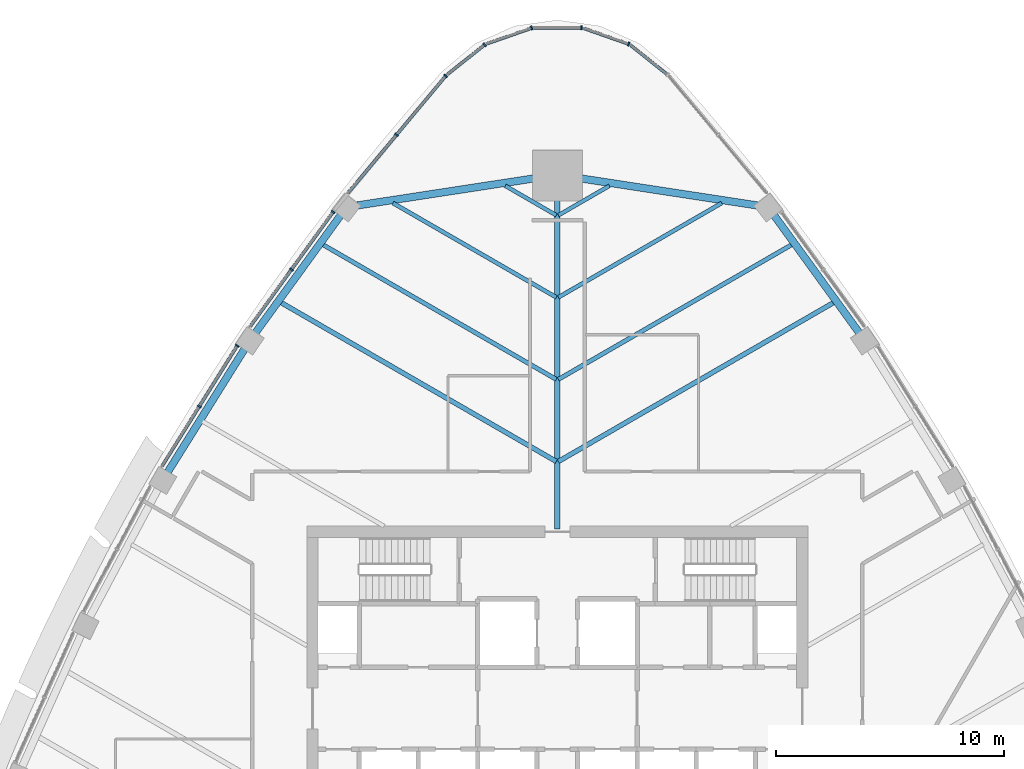
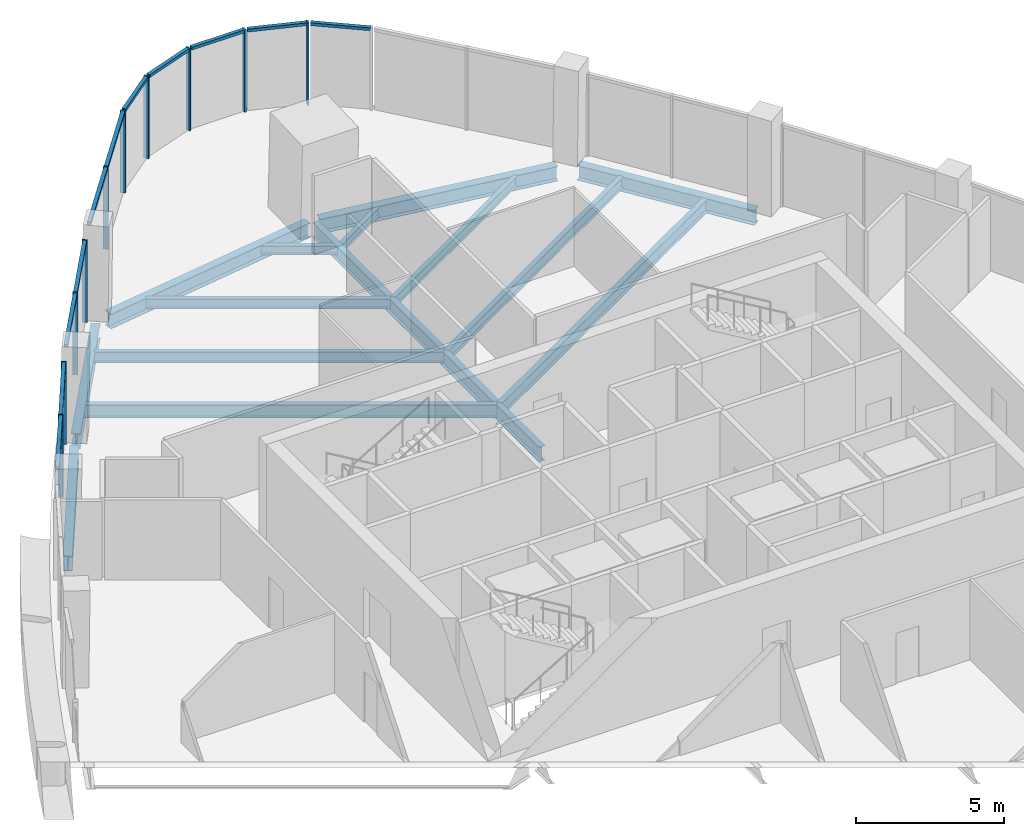
# One storey, part 5 of 16: 21 members, 14 beams, 8 elements without a shape of their own.
"""IFC4 building model written with IfcOpenShell, lengths in metres."""

from ifc_helpers import new_model, si_unit, direction, frame, origin, origin_2d, place, context, subcontext, project, spatial, rectangle, i_section, extrude, material, layer, layer_set, material_profile, profile_set, type_object, element, aggregate, save


model = new_model("IFC4")

# Units and contexts
model_context = context("Model", 3, precision=1e-05, world=origin(), true_north=direction((0.0, 1.0)))
body_context = subcontext(model_context, "Body", "Model", "MODEL_VIEW")
ifc_project = project(units=[si_unit("LENGTHUNIT", "METRE"), si_unit("AREAUNIT", "SQUARE_METRE"), si_unit("VOLUMEUNIT", "CUBIC_METRE"), si_unit("PLANEANGLEUNIT", "RADIAN"), si_unit("MASSUNIT", "GRAM", prefix="KILO")], contexts=[model_context])

# Site, building, storey
site_placement = place(None, origin())
site = spatial("IfcSite", under=ifc_project, at=site_placement, CompositionType="ELEMENT")
building_placement = place(site_placement, origin())
building = spatial("IfcBuilding", under=site, at=building_placement, Name="Sierra Prisma Convention Tower", CompositionType="ELEMENT")
storey_placement = place(building_placement, frame((0.0, 0.0, 303.0)))
storey = spatial("IfcBuildingStorey", under=building, at=storey_placement, Name="L69", CompositionType="ELEMENT", Elevation=303.0)

# Curtain wall, member
ifc_material_1 = material(Name="Aluminium and glass curtain wall", Category="aluminium")
ifc_layer = layer(ifc_material_1, 0.179931640625)
ifc_layer_set = layer_set([ifc_layer], Name="CW-1 Plain shaft curtain wall")
curtain_wall_type = type_object("IfcCurtainWallType", Name="CW-1 Plain shaft curtain wall", PredefinedType="NOTDEFINED", material=ifc_layer_set)
curtain_wall_1_placement = place(storey_placement, origin())
curtain_wall_1 = element("IfcCurtainWall", 1, at=curtain_wall_1_placement, inside=storey, type_object=curtain_wall_type, Name="CW-1 N2 L69", PredefinedType="NOTDEFINED")
ifc_material_2 = material(Name="Aluminium 6063-T6 bronze anodised", Category="aluminium")
ifc_material_profile_1 = material_profile(ifc_material_2, rectangle(XDim=0.179931640625, YDim=0.070068359375, at=origin_2d()), Name="ALU MULLION 70x180")
ifc_profile_set_1 = profile_set([ifc_material_profile_1], Name="Aluminium 6063-T6 bronze anodised")
member_type_1 = type_object("IfcMemberType", Name="CW mullion bronze", PredefinedType="MULLION", material=ifc_profile_set_1)
member_1_placement = place(storey_placement, frame((3.13134765625, 29.17431640625, 0.0), z_axis=(0.0, 0.0, 1.0), x_axis=(-0.329840438838, -0.944036696801, 0.0)))
member_1 = element("IfcMember", 2, at=member_1_placement, type_object=member_type_1, Name="CW-1 mullion N2.1", PredefinedType="MULLION", context=body_context, shape_type="SweptSolid", body=[
    extrude(rectangle(XDim=0.179931640625, YDim=0.070068359375, at=origin_2d()), origin(), (0.0, 0.0, 1.0), 3.39990234375),
])

curtain_wall_2_placement = place(storey_placement, origin())
curtain_wall_2 = element("IfcCurtainWall", 3, at=curtain_wall_2_placement, inside=storey, type_object=curtain_wall_type, Name="CW-1 N3 L69", PredefinedType="NOTDEFINED")
member_2_placement = place(storey_placement, frame((1.060546875, 29.8857421875, 0.0), z_axis=(0.0, 0.0, 1.0), x_axis=(0.0, -1.0, 0.0)))
member_2 = element("IfcMember", 4, at=member_2_placement, type_object=member_type_1, Name="CW-1 mullion N3.1", PredefinedType="MULLION", context=body_context, shape_type="SweptSolid", body=[
    extrude(rectangle(XDim=0.179931640625, YDim=0.070068359375, at=origin_2d()), origin(), (0.0, 0.0, 1.0), 3.39990234375),
])

curtain_wall_3_placement = place(storey_placement, origin())
curtain_wall_3 = element("IfcCurtainWall", 5, at=curtain_wall_3_placement, inside=storey, type_object=curtain_wall_type, Name="CW-1 N4 L69", PredefinedType="NOTDEFINED")
member_3_placement = place(storey_placement, frame((-1.128662109375, 29.8740234375, 0.0), z_axis=(0.0, 0.0, 1.0), x_axis=(0.329840438838, -0.944036696801, 0.0)))
member_3 = element("IfcMember", 6, at=member_3_placement, type_object=member_type_1, Name="CW-1 mullion N4.1", PredefinedType="MULLION", context=body_context, shape_type="SweptSolid", body=[
    extrude(rectangle(XDim=0.179931640625, YDim=0.070068359375, at=origin_2d()), origin(), (0.0, 0.0, 1.0), 3.39990234375),
])

curtain_wall_4_placement = place(storey_placement, origin())
curtain_wall_4 = element("IfcCurtainWall", 7, at=curtain_wall_4_placement, inside=storey, type_object=curtain_wall_type, Name="CW-1 N5 L69", PredefinedType="NOTDEFINED")
member_4_placement = place(storey_placement, frame((-3.191650390625, 29.14111328125, 0.0), z_axis=(0.0, 0.0, 1.0), x_axis=(0.622762956704, -0.782410569814, 0.0)))
member_4 = element("IfcMember", 8, at=member_4_placement, type_object=member_type_1, Name="CW-1 mullion N5.1", PredefinedType="MULLION", context=body_context, shape_type="SweptSolid", body=[
    extrude(rectangle(XDim=0.179931640625, YDim=0.070068359375, at=origin_2d()), origin(), (0.0, 0.0, 1.0), 3.39990234375),
])

# Curtain wall, members
curtain_wall_5_placement = place(storey_placement, origin())
curtain_wall_5 = element("IfcCurtainWall", 9, at=curtain_wall_5_placement, inside=storey, type_object=curtain_wall_type, Name="CW-1 NW1 L69", PredefinedType="NOTDEFINED")
member_5_placement = place(storey_placement, frame((-4.9013671875, 27.771240234375, 0.0), z_axis=(0.0, 0.0, 1.0), x_axis=(0.7674237749, -0.641140195058, 0.0)))
member_5 = element("IfcMember", 10, at=member_5_placement, type_object=member_type_1, Name="CW-1 mullion NW1.1", PredefinedType="MULLION", context=body_context, shape_type="SweptSolid", body=[
    extrude(rectangle(XDim=0.179931640625, YDim=0.070068359375, at=origin_2d()), origin(), (0.0, 0.0, 1.0), 3.39990234375),
])
member_6_placement = place(storey_placement, frame((-7.0625, 25.184326171875, 0.0), z_axis=(0.0, 0.0, 1.0), x_axis=(0.7674237749, -0.641140195058, 0.0)))
member_6 = element("IfcMember", 11, at=member_6_placement, type_object=member_type_1, Name="CW-1 mullion NW1.2", PredefinedType="MULLION", context=body_context, shape_type="SweptSolid", body=[
    extrude(rectangle(XDim=0.179931640625, YDim=0.070068359375, at=origin_2d()), origin(), (0.0, 0.0, 1.0), 3.39990234375),
])

curtain_wall_6_placement = place(storey_placement, origin())
curtain_wall_6 = element("IfcCurtainWall", 12, at=curtain_wall_6_placement, inside=storey, type_object=curtain_wall_type, Name="CW-1 NW2 L69", PredefinedType="NOTDEFINED")
member_7_placement = place(storey_placement, frame((-9.8447265625, 21.79736328125, 0.0), z_axis=(0.0, 0.0, 1.0), x_axis=(0.809774075312, -0.586741806038, 0.0)))
member_7 = element("IfcMember", 13, at=member_7_placement, type_object=member_type_1, Name="CW-1 mullion NW2.1", PredefinedType="MULLION", context=body_context, shape_type="SweptSolid", body=[
    extrude(rectangle(XDim=0.179931640625, YDim=0.070068359375, at=origin_2d()), origin(), (0.0, 0.0, 1.0), 3.39990234375),
])
member_8_placement = place(storey_placement, frame((-11.677978515625, 19.267578125, 0.0), z_axis=(0.0, 0.0, 1.0), x_axis=(0.809774075312, -0.586741806038, 0.0)))
member_8 = element("IfcMember", 14, at=member_8_placement, type_object=member_type_1, Name="CW-1 mullion NW2.2", PredefinedType="MULLION", context=body_context, shape_type="SweptSolid", body=[
    extrude(rectangle(XDim=0.179931640625, YDim=0.070068359375, at=origin_2d()), origin(), (0.0, 0.0, 1.0), 3.39990234375),
])

curtain_wall_7_placement = place(storey_placement, origin())
curtain_wall_7 = element("IfcCurtainWall", 15, at=curtain_wall_7_placement, inside=storey, type_object=curtain_wall_type, Name="CW-1 NW3 L69", PredefinedType="NOTDEFINED")
member_9_placement = place(storey_placement, frame((-14.05859375, 15.92333984375, 0.0), z_axis=(0.0, 0.0, 1.0), x_axis=(0.848275736009, -0.529554790081, 0.0)))
member_9 = element("IfcMember", 16, at=member_9_placement, type_object=member_type_1, Name="CW-1 mullion NW3.1", PredefinedType="MULLION", context=body_context, shape_type="SweptSolid", body=[
    extrude(rectangle(XDim=0.179931640625, YDim=0.070068359375, at=origin_2d()), origin(), (0.0, 0.0, 1.0), 3.39990234375),
])
member_10_placement = place(storey_placement, frame((-15.721435546875, 13.259765625, 0.0), z_axis=(0.0, 0.0, 1.0), x_axis=(0.848275736009, -0.529554790081, 0.0)))
member_10 = element("IfcMember", 17, at=member_10_placement, type_object=member_type_1, Name="CW-1 mullion NW3.2", PredefinedType="MULLION", context=body_context, shape_type="SweptSolid", body=[
    extrude(rectangle(XDim=0.179931640625, YDim=0.070068359375, at=origin_2d()), origin(), (0.0, 0.0, 1.0), 3.39990234375),
])

# Curtain wall, member
curtain_wall_8_placement = place(storey_placement, origin())
curtain_wall_8 = element("IfcCurtainWall", 18, at=curtain_wall_8_placement, inside=storey, type_object=curtain_wall_type, Name="CW-1 N1 L69", PredefinedType="NOTDEFINED")
ifc_material_3 = material(Name="Aluminium 6063-T6 bronze anodised", Category="aluminium")
ifc_material_profile_2 = material_profile(ifc_material_3, rectangle(XDim=0.139892578125, YDim=0.1201171875, at=origin_2d()), Name="ALU TRANSOM 120x140")
ifc_profile_set_2 = profile_set([ifc_material_profile_2], Name="Aluminium 6063-T6 bronze anodised")
member_type_2 = type_object("IfcMemberType", Name="CW transom bronze", PredefinedType="USERDEFINED", material=ifc_profile_set_2)
member_11_placement = place(storey_placement, frame((4.82421875, 27.841796875, 3.340087890625), z_axis=(-0.78244552275, 0.622719040923, 0.0), x_axis=(-0.622719040923, -0.78244552275, 0.0)))
member_11 = element("IfcMember", 19, at=member_11_placement, type_object=member_type_2, Name="CW-1 transom N1.1", ObjectType="TRANSOM", PredefinedType="USERDEFINED", context=body_context, shape_type="SweptSolid", body=[
    extrude(rectangle(XDim=0.139892578125, YDim=0.1201171875, at=origin_2d()), origin(), (0.0, 0.0, 1.0), 2.05126953125),
])
aggregate(curtain_wall_8, [member_11])

# Member
member_12_placement = place(storey_placement, frame((3.098388671875, 29.18603515625, 3.340087890625), z_axis=(-0.944051168916, 0.329799015263, 0.0), x_axis=(-0.329799015263, -0.944051168916, 0.0)))
member_12 = element("IfcMember", 20, at=member_12_placement, type_object=member_type_2, Name="CW-1 transom N2.1", ObjectType="TRANSOM", PredefinedType="USERDEFINED", context=body_context, shape_type="SweptSolid", body=[
    extrude(rectangle(XDim=0.139892578125, YDim=0.1201171875, at=origin_2d()), origin(), (0.0, 0.0, 1.0), 2.05126953125),
])

aggregate(curtain_wall_1, [member_1, member_12])

member_13_placement = place(storey_placement, frame((1.025634765625, 29.8857421875, 3.340087890625), z_axis=(-1.0, 0.0, 0.0), x_axis=(0.0, -1.0, 0.0)))
member_13 = element("IfcMember", 21, at=member_13_placement, type_object=member_type_2, Name="CW-1 transom N3.1", ObjectType="TRANSOM", PredefinedType="USERDEFINED", context=body_context, shape_type="SweptSolid", body=[
    extrude(rectangle(XDim=0.139892578125, YDim=0.1201171875, at=origin_2d()), origin(), (0.0, 0.0, 1.0), 2.05126953125),
])

aggregate(curtain_wall_2, [member_2, member_13])

member_14_placement = place(storey_placement, frame((-1.161865234375, 29.862548828125, 3.340087890625), z_axis=(-0.944051168916, -0.329799015263, 0.0), x_axis=(0.329799015263, -0.944051168916, 0.0)))
member_14 = element("IfcMember", 22, at=member_14_placement, type_object=member_type_2, Name="CW-1 transom N4.1", ObjectType="TRANSOM", PredefinedType="USERDEFINED", context=body_context, shape_type="SweptSolid", body=[
    extrude(rectangle(XDim=0.139892578125, YDim=0.1201171875, at=origin_2d()), origin(), (0.0, 0.0, 1.0), 2.05126953125),
])

aggregate(curtain_wall_3, [member_3, member_14])

member_15_placement = place(storey_placement, frame((-3.21923828125, 29.119140625, 3.340087890625), z_axis=(-0.78244552275, -0.622719040923, 0.0), x_axis=(0.622719040923, -0.78244552275, 0.0)))
member_15 = element("IfcMember", 23, at=member_15_placement, type_object=member_type_2, Name="CW-1 transom N5.1", ObjectType="TRANSOM", PredefinedType="USERDEFINED", context=body_context, shape_type="SweptSolid", body=[
    extrude(rectangle(XDim=0.139892578125, YDim=0.1201171875, at=origin_2d()), origin(), (0.0, 0.0, 1.0), 2.05126953125),
])

aggregate(curtain_wall_4, [member_4, member_15])

member_16_placement = place(storey_placement, frame((-4.923828125, 27.744384765625, 3.340087890625), z_axis=(-0.641115141235, -0.767444705291, 0.0), x_axis=(0.767444705291, -0.641115141235, 0.0)))
member_16 = element("IfcMember", 24, at=member_16_placement, type_object=member_type_2, Name="CW-1 transom NW1.1", ObjectType="TRANSOM", PredefinedType="USERDEFINED", context=body_context, shape_type="SweptSolid", body=[
    extrude(rectangle(XDim=0.139892578125, YDim=0.1201171875, at=origin_2d()), origin(), (0.0, 0.0, 1.0), 3.30078125),
])

member_17_placement = place(storey_placement, frame((-7.0849609375, 25.157470703125, 3.340087890625), z_axis=(-0.641151534106, -0.767414301609, 0.0), x_axis=(0.767414301609, -0.641151534106, 0.0)))
member_17 = element("IfcMember", 25, at=member_17_placement, type_object=member_type_2, Name="CW-1 transom NW1.2", ObjectType="TRANSOM", PredefinedType="USERDEFINED", context=body_context, shape_type="SweptSolid", body=[
    extrude(rectangle(XDim=0.139892578125, YDim=0.1201171875, at=origin_2d()), origin(), (0.0, 0.0, 1.0), 3.300537109375),
])

aggregate(curtain_wall_5, [member_5, member_6, member_16, member_17])

member_18_placement = place(storey_placement, frame((-9.865478515625, 21.768798828125, 3.340087890625), z_axis=(-0.586730423926, -0.80978232238, 0.0), x_axis=(0.80978232238, -0.586730423926, 0.0)))
member_18 = element("IfcMember", 26, at=member_18_placement, type_object=member_type_2, Name="CW-1 transom NW2.1", ObjectType="TRANSOM", PredefinedType="USERDEFINED", context=body_context, shape_type="SweptSolid", body=[
    extrude(rectangle(XDim=0.139892578125, YDim=0.1201171875, at=origin_2d()), origin(), (0.0, 0.0, 1.0), 3.0537109375),
])

member_19_placement = place(storey_placement, frame((-11.698486328125, 19.2392578125, 3.340087890625), z_axis=(-0.586692441047, -0.809809841641, 0.0), x_axis=(0.809809841641, -0.586692441047, 0.0)))
member_19 = element("IfcMember", 27, at=member_19_placement, type_object=member_type_2, Name="CW-1 transom NW2.2", ObjectType="TRANSOM", PredefinedType="USERDEFINED", context=body_context, shape_type="SweptSolid", body=[
    extrude(rectangle(XDim=0.139892578125, YDim=0.1201171875, at=origin_2d()), origin(), (0.0, 0.0, 1.0), 3.053955078125),
])

aggregate(curtain_wall_6, [member_7, member_8, member_18, member_19])

member_20_placement = place(storey_placement, frame((-14.0771484375, 15.8935546875, 3.340087890625), z_axis=(-0.529584253047, -0.848257342394, 0.0), x_axis=(0.848257342394, -0.529584253047, 0.0)))
member_20 = element("IfcMember", 28, at=member_20_placement, type_object=member_type_2, Name="CW-1 transom NW3.1", ObjectType="TRANSOM", PredefinedType="USERDEFINED", context=body_context, shape_type="SweptSolid", body=[
    extrude(rectangle(XDim=0.139892578125, YDim=0.1201171875, at=origin_2d()), origin(), (0.0, 0.0, 1.0), 3.06982421875),
])

member_21_placement = place(storey_placement, frame((-15.739990234375, 13.230224609375, 3.340087890625), z_axis=(-0.529527025024, -0.848293068325, 0.0), x_axis=(0.848293068325, -0.529527025024, 0.0)))
member_21 = element("IfcMember", 29, at=member_21_placement, type_object=member_type_2, Name="CW-1 transom NW3.2", ObjectType="TRANSOM", PredefinedType="USERDEFINED", context=body_context, shape_type="SweptSolid", body=[
    extrude(rectangle(XDim=0.139892578125, YDim=0.1201171875, at=origin_2d()), origin(), (0.0, 0.0, 1.0), 3.069580078125),
])

aggregate(curtain_wall_7, [member_9, member_10, member_20, member_21])

# Beams
ifc_material_4 = material(Name="Steel ASTM A992 Gr 50", Category="steel")
ifc_material_profile_3 = material_profile(ifc_material_4, i_section(OverallWidth=0.172119140625, OverallDepth=0.35791015625, WebThickness=0.0078125, FlangeThickness=0.01318359375, at=origin_2d()), Name="W360x57")
ifc_profile_set_3 = profile_set([ifc_material_profile_3], Name="Steel ASTM A992 Gr 50")
beam_type_1 = type_object("IfcBeamType", Name="Floor joist W360x57", PredefinedType="JOIST", material=ifc_profile_set_3)
for number, where, z_axis, x_axis, name in (
    (30, (2.285400390625, 22.9453125, -0.3291015625), (-0.86602679452, -0.499997591167, 0.0), (0.499997591167, -0.86602679452, 0.0), "Floor joist L69 NE13"),
    (31, (-2.285400390625, 22.9453125, -0.3291015625), (0.86602679452, -0.499997591167, 0.0), (0.499997591167, 0.86602679452, 0.0), "Floor joist L69 NW01"),
):
    element("IfcBeam", number, at=place(storey_placement, frame(where, z_axis=z_axis, x_axis=x_axis)), inside=storey, type_object=beam_type_1, Name=name, PredefinedType="JOIST", context=body_context, shape_type="SweptSolid", body=[
        extrude(i_section(OverallWidth=0.172119140625, OverallDepth=0.35791015625, WebThickness=0.0078125, FlangeThickness=0.01318359375, at=origin_2d()), origin(), (0.0, 0.0, 1.0), 2.5859375),
    ])
ifc_material_5 = material(Name="Steel ASTM A992 Gr 50", Category="steel")
ifc_material_profile_4 = material_profile(ifc_material_5, i_section(OverallWidth=0.177978515625, OverallDepth=0.406982421875, WebThickness=0.0078125, FlangeThickness=0.0126953125, at=origin_2d()), Name="W410x60")
ifc_profile_set_4 = profile_set([ifc_material_profile_4], Name="Steel ASTM A992 Gr 50")
beam_type_2 = type_object("IfcBeamType", Name="Floor joist W410x60", PredefinedType="JOIST", material=ifc_profile_set_4)
for number, where, z_axis, x_axis, name in (
    (32, (7.2197265625, 22.189697265625, -0.353515625), (-0.86603638303, -0.499980982906, 0.0), (0.499980982906, -0.86603638303, 0.0), "Floor joist L69 NE12"),
    (33, (-7.2197265625, 22.189697265625, -0.353515625), (0.86603638303, -0.499980982906, 0.0), (0.499980982906, 0.86603638303, 0.0), "Floor joist L69 NW02"),
):
    element("IfcBeam", number, at=place(storey_placement, frame(where, z_axis=z_axis, x_axis=x_axis)), inside=storey, type_object=beam_type_2, Name=name, PredefinedType="JOIST", context=body_context, shape_type="SweptSolid", body=[
        extrude(i_section(OverallWidth=0.177978515625, OverallDepth=0.406982421875, WebThickness=0.0078125, FlangeThickness=0.0126953125, at=origin_2d()), origin(), (0.0, 0.0, 1.0), 8.283447265625),
    ])
ifc_material_6 = material(Name="Steel ASTM A992 Gr 50", Category="steel")
ifc_material_profile_5 = material_profile(ifc_material_6, i_section(OverallWidth=0.18994140625, OverallDepth=0.45703125, WebThickness=0.009033203125, FlangeThickness=0.014404296875, at=origin_2d()), Name="W460x74")
ifc_profile_set_5 = profile_set([ifc_material_profile_5], Name="Steel ASTM A992 Gr 50")
beam_type_3 = type_object("IfcBeamType", Name="Floor joist W460x74", PredefinedType="JOIST", material=ifc_profile_set_5)
for number, where, z_axis, x_axis, name in (
    (34, (10.30859375, 20.368896484375, -0.37841796875), (-0.866029827799, -0.499992337303, 0.0), (0.499992337303, -0.866029827799, 0.0), "Floor joist L69 NE11"),
    (35, (-10.30859375, 20.368896484375, -0.37841796875), (0.866029827799, -0.499992337303, 0.0), (0.499992337303, 0.866029827799, 0.0), "Floor joist L69 NW03"),
):
    element("IfcBeam", number, at=place(storey_placement, frame(where, z_axis=z_axis, x_axis=x_axis)), inside=storey, type_object=beam_type_3, Name=name, PredefinedType="JOIST", context=body_context, shape_type="SweptSolid", body=[
        extrude(i_section(OverallWidth=0.18994140625, OverallDepth=0.45703125, WebThickness=0.009033203125, FlangeThickness=0.014404296875, at=origin_2d()), origin(), (0.0, 0.0, 1.0), 11.850341796875),
    ])
ifc_material_7 = material(Name="Steel ASTM A992 Gr 50", Category="steel")
ifc_material_profile_6 = material_profile(ifc_material_7, i_section(OverallWidth=0.208984375, OverallDepth=0.532958984375, WebThickness=0.01025390625, FlangeThickness=0.015625, at=origin_2d()), Name="W530x92")
ifc_profile_set_6 = profile_set([ifc_material_profile_6], Name="Steel ASTM A992 Gr 50")
beam_type_4 = type_object("IfcBeamType", Name="Floor joist W530x92", PredefinedType="JOIST", material=ifc_profile_set_6)
for number, where, z_axis, x_axis, name in (
    (36, (12.14990234375, 17.82763671875, -0.41650390625), (-0.866024432934, -0.500001681558, 0.0), (0.500001681558, -0.866024432934, 0.0), "Floor joist L69 NE10"),
    (37, (-12.14990234375, 17.82763671875, -0.41650390625), (0.866024432934, -0.500001681558, 0.0), (0.500001681558, 0.866024432934, 0.0), "Floor joist L69 NW04"),
):
    element("IfcBeam", number, at=place(storey_placement, frame(where, z_axis=z_axis, x_axis=x_axis)), inside=storey, type_object=beam_type_4, Name=name, PredefinedType="JOIST", context=body_context, shape_type="SweptSolid", body=[
        extrude(i_section(OverallWidth=0.208984375, OverallDepth=0.532958984375, WebThickness=0.01025390625, FlangeThickness=0.015625, at=origin_2d()), origin(), (0.0, 0.0, 1.0), 13.9765625),
    ])
ifc_material_8 = material(Name="Steel ASTM A992 Gr 50", Category="steel")
ifc_material_profile_7 = material_profile(ifc_material_8, i_section(OverallWidth=0.22998046875, OverallDepth=0.616943359375, WebThickness=0.01318359375, FlangeThickness=0.022216796875, at=origin_2d()), Name="W610x140")
ifc_profile_set_7 = profile_set([ifc_material_profile_7], Name="Steel ASTM A992 Gr 50")
beam_type_5 = type_object("IfcBeamType", Name="Radial girder W610x140", PredefinedType="BEAM", material=ifc_profile_set_7)
beam_1_placement = place(storey_placement, frame((0.0, 23.2080078125, -0.45849609375), z_axis=(0.0, -1.0, 0.0), x_axis=(1.0, 0.0, 0.0)))
element("IfcBeam", 38, at=beam_1_placement, inside=storey, type_object=beam_type_5, Name="Radial girder L69 N", PredefinedType="BEAM", context=body_context, shape_type="SweptSolid", body=[
    extrude(i_section(OverallWidth=0.22998046875, OverallDepth=0.616943359375, WebThickness=0.01318359375, FlangeThickness=0.022216796875, at=origin_2d()), origin(), (0.0, 0.0, 1.0), 15.328125),
])
ifc_material_9 = material(Name="Steel ASTM A992 Gr 50", Category="steel")
ifc_material_profile_8 = material_profile(ifc_material_9, i_section(OverallWidth=0.324951171875, OverallDepth=0.615966796875, WebThickness=0.013916015625, FlangeThickness=0.021484375, at=origin_2d()), Name="W610x174")
ifc_profile_set_8 = profile_set([ifc_material_profile_8], Name="Steel ASTM A992 Gr 50")
beam_type_6 = type_object("IfcBeamType", Name="Spandrel beam W610x174", PredefinedType="BEAM", material=ifc_profile_set_8)
beam_2_placement = place(storey_placement, frame((13.311279296875, 16.4169921875, -0.4580078125), z_axis=(-0.586727273367, 0.809784605119, 0.0), x_axis=(-0.809784605119, -0.586727273367, 0.0)))
element("IfcBeam", 39, at=beam_2_placement, inside=storey, type_object=beam_type_6, Name="Spandrel L69-11", PredefinedType="BEAM", context=body_context, shape_type="SweptSolid", body=[
    extrude(i_section(OverallWidth=0.324951171875, OverallDepth=0.615966796875, WebThickness=0.013916015625, FlangeThickness=0.021484375, at=origin_2d()), origin(), (0.0, 0.0, 1.0), 6.576904296875),
])
for number, where, z_axis, x_axis, name in (
    (40, (8.764892578125, 22.0859375, -0.4580078125), (-0.988480169649, 0.151350435119, 0.0), (-0.151350435119, -0.988480169649, 0.0), "Spandrel L69-12"),
    (41, (-0.219970703125, 23.394287109375, -0.4580078125), (-0.988480169649, -0.151350435119, 0.0), (0.151350435119, -0.988480169649, 0.0), "Spandrel L69-13"),
):
    element("IfcBeam", number, at=place(storey_placement, frame(where, z_axis=z_axis, x_axis=x_axis)), inside=storey, type_object=beam_type_6, Name=name, PredefinedType="BEAM", context=body_context, shape_type="SweptSolid", body=[
        extrude(i_section(OverallWidth=0.324951171875, OverallDepth=0.615966796875, WebThickness=0.013916015625, FlangeThickness=0.021484375, at=origin_2d()), origin(), (0.0, 0.0, 1.0), 8.64453125),
    ])
beam_3_placement = place(storey_placement, frame((-9.452392578125, 21.742919921875, -0.4580078125), z_axis=(-0.586727273367, -0.809784605119, 0.0), x_axis=(0.809784605119, -0.586727273367, 0.0)))
element("IfcBeam", 42, at=beam_3_placement, inside=storey, type_object=beam_type_6, Name="Spandrel L69-14", PredefinedType="BEAM", context=body_context, shape_type="SweptSolid", body=[
    extrude(i_section(OverallWidth=0.324951171875, OverallDepth=0.615966796875, WebThickness=0.013916015625, FlangeThickness=0.021484375, at=origin_2d()), origin(), (0.0, 0.0, 1.0), 6.576904296875),
])
beam_4_placement = place(storey_placement, frame((-13.679931640625, 15.869384765625, -0.4580078125), z_axis=(-0.529541755301, -0.848283873118, 0.0), x_axis=(0.848283873118, -0.529541755301, 0.0)))
element("IfcBeam", 43, at=beam_4_placement, inside=storey, type_object=beam_type_6, Name="Spandrel L69-15", PredefinedType="BEAM", context=body_context, shape_type="SweptSolid", body=[
    extrude(i_section(OverallWidth=0.324951171875, OverallDepth=0.615966796875, WebThickness=0.013916015625, FlangeThickness=0.021484375, at=origin_2d()), origin(), (0.0, 0.0, 1.0), 6.5771484375),
])

save(model, "model.ifc")
